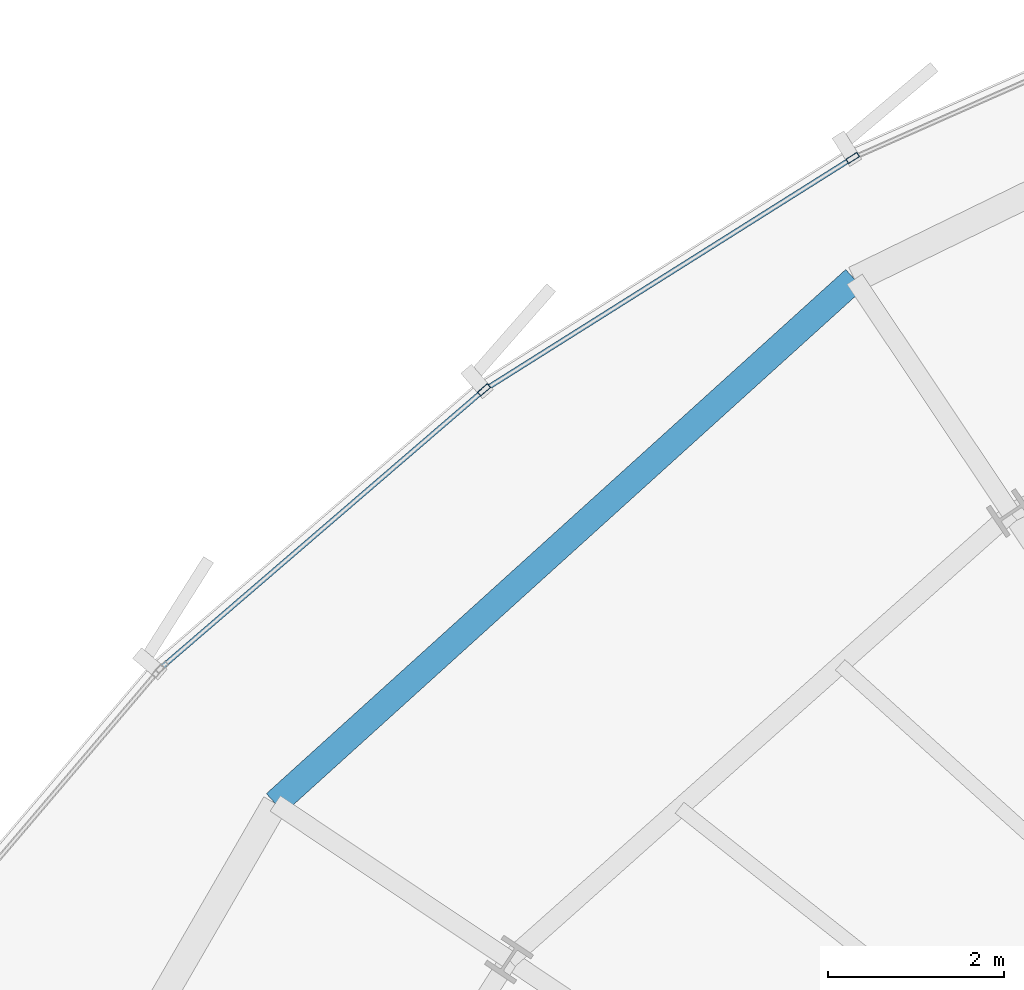
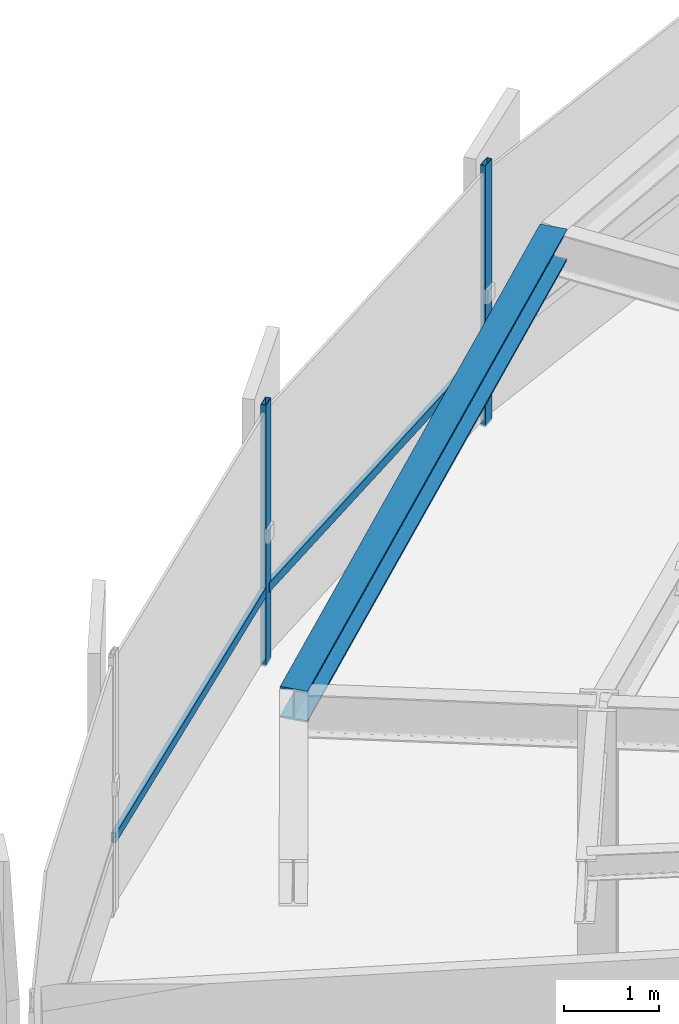
# One storey, part 19 of 33: 4 members, 1 beam, 1 element without a shape of its own.
"""IFC4 building model written with IfcOpenShell, lengths in metres."""

from ifc_helpers import new_model, si_unit, direction, frame, origin, origin_2d, place, context, subcontext, project, spatial, hollow_rectangle, i_section, extrude, source, transform, mapped, material, layer, layer_set, material_profile, profile_set, type_object, element, aggregate, save


model = new_model("IFC4")

# Units and contexts
model_context = context("Model", 3, precision=1e-05, world=origin(), true_north=direction((0.0, 1.0)))
body_context = subcontext(model_context, "Body", "Model", "MODEL_VIEW")
ifc_project = project(units=[si_unit("LENGTHUNIT", "METRE"), si_unit("AREAUNIT", "SQUARE_METRE"), si_unit("VOLUMEUNIT", "CUBIC_METRE"), si_unit("PLANEANGLEUNIT", "RADIAN"), si_unit("MASSUNIT", "GRAM", prefix="KILO"), si_unit("THERMODYNAMICTEMPERATUREUNIT", "KELVIN")], contexts=[model_context])

# Site, building, storey
site_placement = place(None, origin())
site = spatial("IfcSite", under=ifc_project, at=site_placement, CompositionType="ELEMENT")
building_placement = place(site_placement, origin())
building = spatial("IfcBuilding", under=site, at=building_placement, Name="Kethvar Cultural Tower", CompositionType="ELEMENT")
storey_placement = place(building_placement, frame((0.0, 0.0, 114.39990234375)))
storey = spatial("IfcBuildingStorey", under=building, at=storey_placement, Name="L28", CompositionType="ELEMENT", Elevation=114.39990234375)

# Beam
ifc_material_1 = material(Name="Steel S355J2", Category="steel")
ifc_material_profile_1 = material_profile(ifc_material_1, i_section(OverallWidth=0.300048828125, OverallDepth=0.39990234375, WebThickness=0.013427734375, FlangeThickness=0.02392578125, FilletRadius=0.027099609375, at=origin_2d()), Name="Steel S355J2 — HEB400")
ifc_profile_set_1 = profile_set([ifc_material_profile_1], Name="Steel S355J2 — HEB400")
beam_type = type_object("IfcBeamType", Name="BM-SP400", PredefinedType="SPANDREL", material=ifc_profile_set_1)
shared_shape_1 = source(origin(), body_context, "Body", "SweptSolid", [
    extrude(i_section(OverallWidth=0.300048828125, OverallDepth=0.39990234375, WebThickness=0.013427734375, FlangeThickness=0.02392578125, FilletRadius=0.027099609375, at=origin_2d()), origin(), (0.0, 0.0, 1.0), 8.892822265625),
])
beam_placement = place(storey_placement, frame((34.27978515625, 46.5380859375, 3.148193359375), z_axis=(-0.741556591679, -0.670890319901, 0.0), x_axis=(0.670890319901, -0.741556591679, 0.0)))
element("IfcBeam", 1, at=beam_placement, inside=storey, type_object=beam_type, Name="L28 Perimeter Spandrel Beam SP-06", PredefinedType="SPANDREL", context=body_context, shape_type="MappedRepresentation", body=[
    mapped(shared_shape_1, transform((0.0, 0.0, 0.0), scale=1.0)),
])

# Curtain wall, members
ifc_material_2 = material(Name="Aluminium 6063-T6", Category="aluminium")
ifc_layer = layer(ifc_material_2, 0.179931640625, Name="Aluminium 6063-T6", Category="aluminium")
ifc_layer_set = layer_set([ifc_layer], Name="Aluminium 6063-T6 (180 mm)")
curtain_wall_type = type_object("IfcCurtainWallType", Name="CW-SYS-03-Z2", PredefinedType="NOTDEFINED", material=ifc_layer_set)
curtain_wall_placement = place(storey_placement, origin())
curtain_wall = element("IfcCurtainWall", 2, at=curtain_wall_placement, inside=storey, type_object=curtain_wall_type, Name="L28 Curtain Wall Run 02", PredefinedType="NOTDEFINED")
ifc_material_profile_2 = material_profile(ifc_material_2, hollow_rectangle(XDim=0.06005859375, YDim=0.14990234375, WallThickness=0.0048828125, at=origin_2d()), Name="Aluminium 6063-T6 — RHS150x60x5")
ifc_profile_set_2 = profile_set([ifc_material_profile_2], Name="Aluminium 6063-T6 — RHS150x60x5")
member_type_1 = type_object("IfcMemberType", Name="CW-SYS-03-Z2-MUL", PredefinedType="MULLION", material=ifc_profile_set_2)
shared_shape_2 = source(origin(), body_context, "Body", "SweptSolid", [
    extrude(hollow_rectangle(XDim=0.06005859375, YDim=0.14990234375, WallThickness=0.0048828125, at=origin_2d()), origin(), (0.0, 0.0, 1.0), 3.35009765625),
])
member_1_placement = place(storey_placement, frame((34.2587890625, 47.9189453125, 0.0), z_axis=(0.0, 0.0, 1.0), x_axis=(0.532713808826, -0.846295455433, 0.0)))
member_1 = element("IfcMember", 3, at=member_1_placement, type_object=member_type_1, Name="CW-L28-R02 Mullion 5", PredefinedType="MULLION", context=body_context, shape_type="MappedRepresentation", body=[
    mapped(shared_shape_2, transform((0.0, 0.0, 0.0), scale=1.0)),
])
member_2_placement = place(storey_placement, frame((30.063720703125, 45.27978515625, 0.0), z_axis=(0.0, 0.0, 1.0), x_axis=(0.652363002904, -0.75790666473, 0.0)))
member_2 = element("IfcMember", 4, at=member_2_placement, type_object=member_type_1, Name="CW-L28-R02 Mullion 6", PredefinedType="MULLION", context=body_context, shape_type="MappedRepresentation", body=[
    mapped(shared_shape_2, transform((0.0, 0.0, 0.0), scale=1.0)),
])
ifc_material_profile_3 = material_profile(ifc_material_2, hollow_rectangle(XDim=0.054931640625, YDim=0.1201171875, WallThickness=0.00390625, at=origin_2d()), Name="Aluminium 6063-T6 — RHS120x55x4")
ifc_profile_set_3 = profile_set([ifc_material_profile_3], Name="Aluminium 6063-T6 — RHS120x55x4")
member_type_2 = type_object("IfcMemberType", Name="CW-SYS-03-Z2-TRN", PredefinedType="USERDEFINED", material=ifc_profile_set_3)
shared_shape_3 = source(origin(), body_context, "Body", "SweptSolid", [
    extrude(hollow_rectangle(XDim=0.054931640625, YDim=0.1201171875, WallThickness=0.00390625, at=origin_2d()), origin(), (0.0, 0.0, 1.0), 4.886962890625),
])
member_3_placement = place(storey_placement, frame((34.22216796875, 47.89599609375, 0.9501953125), z_axis=(-0.846298741675, -0.532708588104, 0.0), x_axis=(0.532708588104, -0.846298741675, 0.0)))
member_3 = element("IfcMember", 5, at=member_3_placement, type_object=member_type_2, Name="CW-L28-R02 Transom 5", ObjectType="TRANSOM", PredefinedType="USERDEFINED", context=body_context, shape_type="MappedRepresentation", body=[
    mapped(shared_shape_3, transform((0.0, 0.0, 0.0), scale=1.0)),
])
shared_shape_4 = source(origin(), body_context, "Body", "SweptSolid", [
    extrude(hollow_rectangle(XDim=0.054931640625, YDim=0.1201171875, WallThickness=0.00390625, at=origin_2d()), origin(), (0.0, 0.0, 1.0), 4.79296875),
])
member_4_placement = place(storey_placement, frame((30.031005859375, 45.251708984375, 0.9501953125), z_axis=(-0.757906613722, -0.652363062164, 0.0), x_axis=(0.652363062164, -0.757906613722, 0.0)))
member_4 = element("IfcMember", 6, at=member_4_placement, type_object=member_type_2, Name="CW-L28-R02 Transom 6", ObjectType="TRANSOM", PredefinedType="USERDEFINED", context=body_context, shape_type="MappedRepresentation", body=[
    mapped(shared_shape_4, transform((0.0, 0.0, 0.0), scale=1.0)),
])
aggregate(curtain_wall, [member_1, member_2, member_3, member_4])

save(model, "model.ifc")
